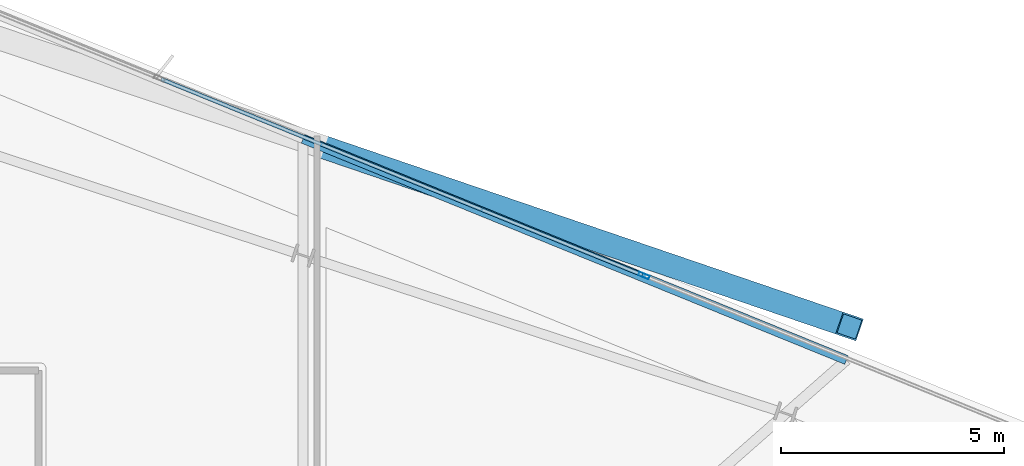
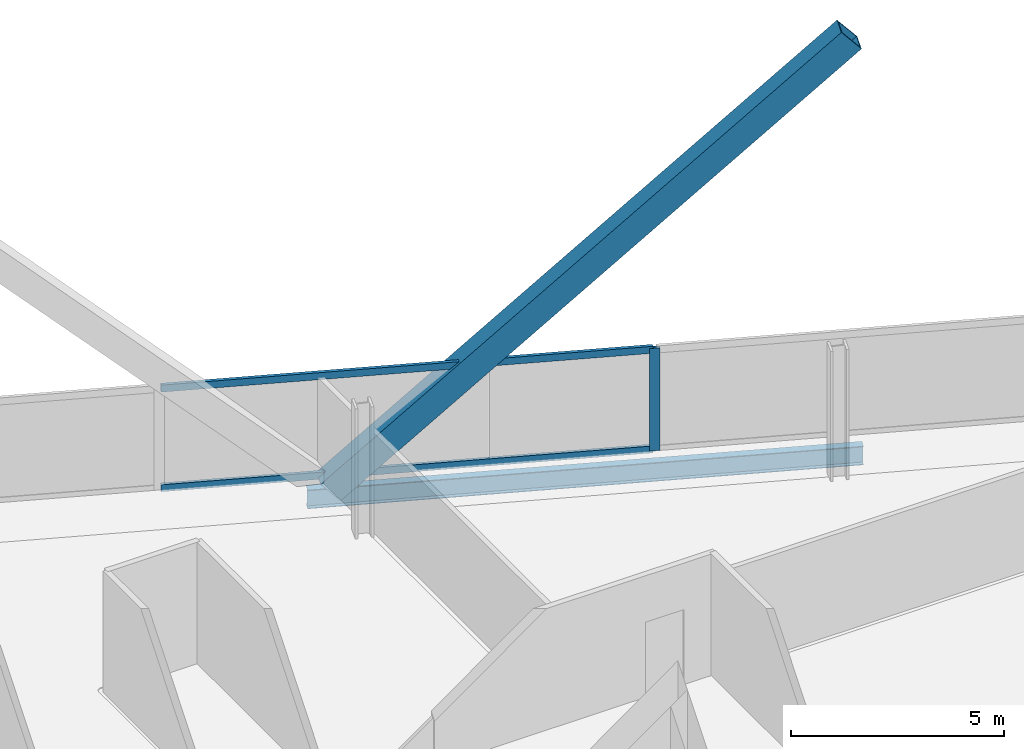
# One storey, part 22 of 31: 4 members, 1 beam, 1 element without a shape of its own.
"""IFC4 building model written with IfcOpenShell, lengths in metres."""

from ifc_helpers import new_model, si_unit, direction, frame, origin, origin_2d, place, context, subcontext, project, spatial, hollow_rectangle, i_section, extrude, material, material_profile, profile_set, type_object, element, aggregate, save


model = new_model("IFC4")

# Units and contexts
model_context = context("Model", 3, precision=1e-05, world=origin(), true_north=direction((0.0, 1.0)))
body_context = subcontext(model_context, "Body", "Model", "MODEL_VIEW")
ifc_project = project(units=[si_unit("LENGTHUNIT", "METRE"), si_unit("AREAUNIT", "SQUARE_METRE"), si_unit("VOLUMEUNIT", "CUBIC_METRE"), si_unit("PLANEANGLEUNIT", "RADIAN"), si_unit("MASSUNIT", "GRAM", prefix="KILO")], contexts=[model_context])

# Site, building, storey
site_placement = place(None, origin())
site = spatial("IfcSite", under=ifc_project, at=site_placement, CompositionType="ELEMENT")
building_placement = place(site_placement, origin())
building = spatial("IfcBuilding", under=site, at=building_placement, Name="Haldenkirk Collegiate Tower", CompositionType="ELEMENT")
storey_placement = place(building_placement, frame((0.0, 0.0, 256.199951171875)))
storey = spatial("IfcBuildingStorey", under=building, at=storey_placement, Name="L64", CompositionType="ELEMENT", Elevation=256.199951171875)

# Beam
ifc_material_1 = material(Name="Steel ASTM A992 Grade 50", Category="steel")
ifc_material_profile_1 = material_profile(ifc_material_1, i_section(OverallWidth=0.2099609375, OverallDepth=0.537109375, WebThickness=0.010986328125, FlangeThickness=0.017333984375, at=origin_2d()), Name="W21X68")
ifc_profile_set_1 = profile_set([ifc_material_profile_1], Name="Steel ASTM A992 Grade 50")
beam_type = type_object("IfcBeamType", Name="BM-SPANDREL-W21X68", PredefinedType="SPANDREL", material=ifc_profile_set_1)
beam_placement = place(storey_placement, frame((55.382080078125, 43.13720703125, -0.538330078125), z_axis=(-0.926205845738, 0.377018210861, 0.0), x_axis=(-0.377018210861, -0.926205845738, 0.0)))
element("IfcBeam", 1, at=beam_placement, inside=storey, type_object=beam_type, Name="L64 outer facade edge beam 2A", PredefinedType="SPANDREL", context=body_context, shape_type="SweptSolid", body=[
    extrude(i_section(OverallWidth=0.2099609375, OverallDepth=0.537109375, WebThickness=0.010986328125, FlangeThickness=0.017333984375, at=origin_2d()), origin(), (0.0, 0.0, 1.0), 13.16357421875),
])

# Curtain wall, members
ifc_material_2 = material(Name="Anodised architectural bronze aluminium", Category="aluminium")
curtain_wall_type = type_object("IfcCurtainWallType", Name="CW-SYS1B-CONVEX-HI", PredefinedType="USERDEFINED", material=ifc_material_2)
curtain_wall_placement = place(storey_placement, origin())
curtain_wall = element("IfcCurtainWall", 2, at=curtain_wall_placement, inside=storey, type_object=curtain_wall_type, Name="L64 Upper tower high-wind convex bronze unitised curtain wall", ObjectType="UNITISED CURTAIN WALL", PredefinedType="USERDEFINED")
ifc_material_profile_2 = material_profile(ifc_material_2, hollow_rectangle(XDim=0.0849609375, YDim=0.25, WallThickness=0.0048828125, at=origin_2d()), Name="CW-MUL-1B")
ifc_profile_set_2 = profile_set([ifc_material_profile_2], Name="Anodised architectural bronze aluminium")
member_type_1 = type_object("IfcMemberType", Name="CW-MUL-1B", PredefinedType="MULLION", material=ifc_profile_set_2)
member_1_placement = place(storey_placement, frame((50.836669921875, 45.030517578125, 0.0), z_axis=(0.0, 0.0, 1.0), x_axis=(0.377034271745, 0.926199307886, 0.0)))
member_1 = element("IfcMember", 3, at=member_1_placement, type_object=member_type_1, Name="CW-1B mullion 3", PredefinedType="MULLION", context=body_context, shape_type="SweptSolid", body=[
    extrude(hollow_rectangle(XDim=0.0849609375, YDim=0.25, WallThickness=0.0048828125, at=origin_2d()), origin(), (0.0, 0.0, 1.0), 2.93798828125),
])
ifc_material_profile_3 = material_profile(ifc_material_2, hollow_rectangle(XDim=0.0849609375, YDim=0.199951171875, WallThickness=0.0048828125, at=origin_2d()), Name="CW-TRN-1B")
ifc_profile_set_3 = profile_set([ifc_material_profile_3], Name="Anodised architectural bronze aluminium")
member_type_2 = type_object("IfcMemberType", Name="CW-TRN-1B", PredefinedType="USERDEFINED", material=ifc_profile_set_3)
member_2_placement = place(storey_placement, frame((40.008544921875, 49.4384765625, 0.04248046875), z_axis=(0.926200273171, -0.377031900479, 0.0), x_axis=(0.377031900479, 0.926200273171, 0.0)))
member_2 = element("IfcMember", 4, at=member_2_placement, type_object=member_type_2, Name="CW-1B transom 2.1", ObjectType="TRANSOM", PredefinedType="USERDEFINED", context=body_context, shape_type="SweptSolid", body=[
    extrude(hollow_rectangle(XDim=0.0849609375, YDim=0.199951171875, WallThickness=0.0048828125, at=origin_2d()), origin(), (0.0, 0.0, 1.0), 11.6484375),
])
member_3_placement = place(storey_placement, frame((40.008544921875, 49.4384765625, 2.8955078125), z_axis=(0.926200273171, -0.377031900479, 0.0), x_axis=(0.377031900479, 0.926200273171, 0.0)))
member_3 = element("IfcMember", 5, at=member_3_placement, type_object=member_type_2, Name="CW-1B transom 2.2", ObjectType="TRANSOM", PredefinedType="USERDEFINED", context=body_context, shape_type="SweptSolid", body=[
    extrude(hollow_rectangle(XDim=0.0849609375, YDim=0.199951171875, WallThickness=0.0048828125, at=origin_2d()), origin(), (0.0, 0.0, 1.0), 11.6484375),
])
aggregate(curtain_wall, [member_1, member_2, member_3])

# Member
ifc_material_3 = material(Name="Steel ASTM A572 Grade 50", Category="steel")
ifc_material_profile_4 = material_profile(ifc_material_3, hollow_rectangle(XDim=0.52001953125, YDim=0.719970703125, WallThickness=0.035888671875, at=origin_2d()), Name="BOX720X520X36")
ifc_profile_set_4 = profile_set([ifc_material_profile_4], Name="Steel ASTM A572 Grade 50")
member_type_3 = type_object("IfcMemberType", Name="MBR-MEGABRACE-BOX720X520X36", PredefinedType="BRACE", material=ifc_profile_set_4)
member_4_placement = place(storey_placement, frame((43.665771484375, 47.906494140625, -0.280029296875), z_axis=(0.702248339592, -0.23944682326, 0.670456925068), x_axis=(0.322727032135, 0.946492082761, 0.0)))
element("IfcMember", 6, at=member_4_placement, inside=storey, type_object=member_type_3, Name="Perimeter Mega Brace Z5 L64-L66 EL", PredefinedType="BRACE", context=body_context, shape_type="SweptSolid", body=[
    extrude(hollow_rectangle(XDim=0.52001953125, YDim=0.719970703125, WallThickness=0.035888671875, at=origin_2d()), origin(), (0.0, 0.0, 1.0), 16.779541015625),
])

save(model, "model.ifc")
